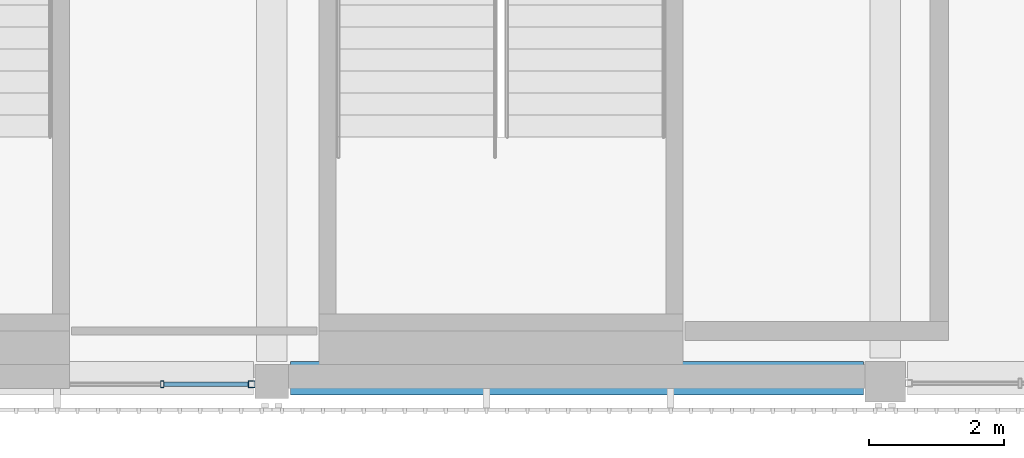
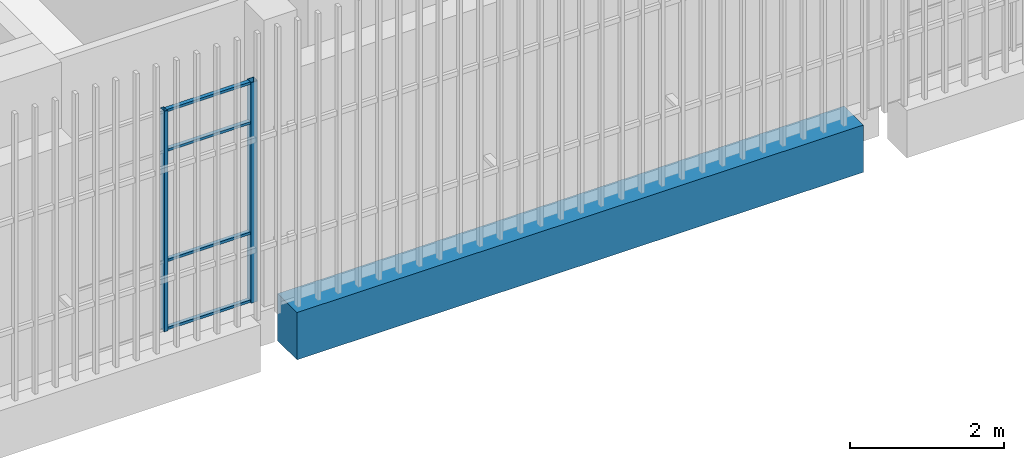
# One storey, part 4 of 104: 6 members, 1 beam, 1 element without a shape of its own.
"""IFC4 building model written with IfcOpenShell, lengths in metres."""

from ifc_helpers import new_model, si_unit, direction, frame, origin, origin_2d, place, context, subcontext, project, spatial, rectangle, hollow_rectangle, extrude, material, layer, layer_set, material_profile, profile_set, type_object, element, aggregate, save


model = new_model("IFC4")

# Units and contexts
model_context = context("Model", 3, precision=1e-05, world=origin(), true_north=direction((0.0, 1.0)))
body_context = subcontext(model_context, "Body", "Model", "MODEL_VIEW")
ifc_project = project(units=[si_unit("LENGTHUNIT", "METRE"), si_unit("AREAUNIT", "SQUARE_METRE"), si_unit("VOLUMEUNIT", "CUBIC_METRE"), si_unit("PLANEANGLEUNIT", "RADIAN"), si_unit("MASSUNIT", "GRAM", prefix="KILO")], contexts=[model_context])

# Site, building, storey
site_placement = place(None, origin())
site = spatial("IfcSite", under=ifc_project, at=site_placement, CompositionType="ELEMENT")
building_placement = place(site_placement, origin())
building = spatial("IfcBuilding", under=site, at=building_placement, Name="Shirokan Park Arena", CompositionType="ELEMENT")
storey_placement = place(building_placement, frame((0.0, 0.0, 10.919921875)))
storey = spatial("IfcBuildingStorey", under=building, at=storey_placement, Name="L02", CompositionType="ELEMENT", Elevation=10.919921875)

# Curtain wall, members
ifc_material_1 = material(Name="Steel and glass curtain wall", Category="steel")
ifc_layer = layer(ifc_material_1, 0.1201171875)
ifc_layer_set = layer_set([ifc_layer], Name="Steel and glass curtain wall 120 mm")
curtain_wall_type = type_object("IfcCurtainWallType", Name="Curtain wall corner block side bay 120", PredefinedType="NOTDEFINED", material=ifc_layer_set)
curtain_wall_placement = place(storey_placement, origin())
curtain_wall = element("IfcCurtainWall", 1, at=curtain_wall_placement, inside=storey, type_object=curtain_wall_type, Name="Curtain wall south bay 2 L02", PredefinedType="NOTDEFINED")
ifc_material_2 = material(Name="Steel S355", Category="steel")
ifc_material_profile_1 = material_profile(ifc_material_2, hollow_rectangle(XDim=0.10009765625, YDim=0.10009765625, WallThickness=0.006103515625, at=origin_2d()), Name="RHS 100x100x6")
ifc_profile_set_1 = profile_set([ifc_material_profile_1], Name="Steel S355")
member_type_1 = type_object("IfcMemberType", Name="Mullion RHS 100x100x6", PredefinedType="MULLION", material=ifc_profile_set_1)
member_1_placement = place(storey_placement, frame((17.89990234375, -0.090087890625, 0.0), z_axis=(0.0, 0.0, 1.0), x_axis=(0.0, 1.0, 0.0)))
member_1 = element("IfcMember", 2, at=member_1_placement, type_object=member_type_1, Name="CW3 mullion 3", PredefinedType="MULLION", context=body_context, shape_type="SweptSolid", body=[
    extrude(hollow_rectangle(XDim=0.10009765625, YDim=0.10009765625, WallThickness=0.006103515625, at=origin_2d()), origin(), (0.0, 0.0, 1.0), 3.5),
])
ifc_material_profile_2 = material_profile(ifc_material_2, hollow_rectangle(XDim=0.10009765625, YDim=0.050048828125, WallThickness=0.0048828125, at=origin_2d()), Name="RHS 100x50x5")
ifc_profile_set_2 = profile_set([ifc_material_profile_2], Name="Steel S355")
member_type_2 = type_object("IfcMemberType", Name="Mullion RHS 100x50x5", PredefinedType="MULLION", material=ifc_profile_set_2)
member_2_placement = place(storey_placement, frame((16.574951171875, -0.090087890625, 0.0), z_axis=(0.0, 0.0, 1.0), x_axis=(0.0, 1.0, 0.0)))
member_2 = element("IfcMember", 3, at=member_2_placement, type_object=member_type_2, Name="CW3 mullion 2", PredefinedType="MULLION", context=body_context, shape_type="SweptSolid", body=[
    extrude(hollow_rectangle(XDim=0.10009765625, YDim=0.050048828125, WallThickness=0.0048828125, at=origin_2d()), origin(), (0.0, 0.0, 1.0), 3.5),
])

# Beam
ifc_material_3 = material(Name="Concrete C35", Category="concrete")
ifc_material_profile_3 = material_profile(ifc_material_3, rectangle(XDim=0.5, YDim=0.75, at=origin_2d()), Name="500x750")
ifc_profile_set_3 = profile_set([ifc_material_profile_3], Name="Concrete C35")
beam_type = type_object("IfcBeamType", Name="RC girder 500x750", PredefinedType="BEAM", material=ifc_profile_set_3)
beam_placement = place(storey_placement, frame((18.47509765625, 0.0, -0.6748046875), z_axis=(1.0, 0.0, 0.0), x_axis=(0.0, 1.0, 0.0)))
element("IfcBeam", 4, at=beam_placement, inside=storey, type_object=beam_type, Name="Girder 3A-4A L02", PredefinedType="BEAM", context=body_context, shape_type="SweptSolid", body=[
    extrude(rectangle(XDim=0.5, YDim=0.75, at=origin_2d()), origin(), (0.0, 0.0, 1.0), 8.499755859375),
])

# Member
ifc_material_profile_4 = material_profile(ifc_material_2, hollow_rectangle(XDim=0.06005859375, YDim=0.0400390625, WallThickness=0.00390625, at=origin_2d()), Name="RHS 60x40x4")
ifc_profile_set_4 = profile_set([ifc_material_profile_4], Name="Steel S355")
member_type_3 = type_object("IfcMemberType", Name="Transom RHS 60x40x4", PredefinedType="MULLION", material=ifc_profile_set_4)
member_3_placement = place(storey_placement, frame((16.60009765625, -0.090087890625, 0.02001953125), z_axis=(1.0, 0.0, 0.0), x_axis=(0.0, 1.0, 0.0)))
member_3 = element("IfcMember", 5, at=member_3_placement, type_object=member_type_3, Name="CW3 transom 2.1", PredefinedType="MULLION", context=body_context, shape_type="SweptSolid", body=[
    extrude(hollow_rectangle(XDim=0.06005859375, YDim=0.0400390625, WallThickness=0.00390625, at=origin_2d()), origin(), (0.0, 0.0, 1.0), 1.25),
])

member_4_placement = place(storey_placement, frame((16.60009765625, -0.090087890625, 1.10009765625), z_axis=(1.0, 0.0, 0.0), x_axis=(0.0, 1.0, 0.0)))
member_4 = element("IfcMember", 6, at=member_4_placement, type_object=member_type_3, Name="CW3 transom 2.2", PredefinedType="MULLION", context=body_context, shape_type="SweptSolid", body=[
    extrude(hollow_rectangle(XDim=0.06005859375, YDim=0.0400390625, WallThickness=0.00390625, at=origin_2d()), origin(), (0.0, 0.0, 1.0), 1.25),
])

member_5_placement = place(storey_placement, frame((16.60009765625, -0.090087890625, 2.85009765625), z_axis=(1.0, 0.0, 0.0), x_axis=(0.0, 1.0, 0.0)))
member_5 = element("IfcMember", 7, at=member_5_placement, type_object=member_type_3, Name="CW3 transom 2.3", PredefinedType="MULLION", context=body_context, shape_type="SweptSolid", body=[
    extrude(hollow_rectangle(XDim=0.06005859375, YDim=0.0400390625, WallThickness=0.00390625, at=origin_2d()), origin(), (0.0, 0.0, 1.0), 1.25),
])

member_6_placement = place(storey_placement, frame((16.60009765625, -0.090087890625, 3.47998046875), z_axis=(1.0, 0.0, 0.0), x_axis=(0.0, 1.0, 0.0)))
member_6 = element("IfcMember", 8, at=member_6_placement, type_object=member_type_3, Name="CW3 transom 2.4", PredefinedType="MULLION", context=body_context, shape_type="SweptSolid", body=[
    extrude(hollow_rectangle(XDim=0.06005859375, YDim=0.0400390625, WallThickness=0.00390625, at=origin_2d()), origin(), (0.0, 0.0, 1.0), 1.25),
])

aggregate(curtain_wall, [member_2, member_1, member_3, member_4, member_5, member_6])

save(model, "model.ifc")
